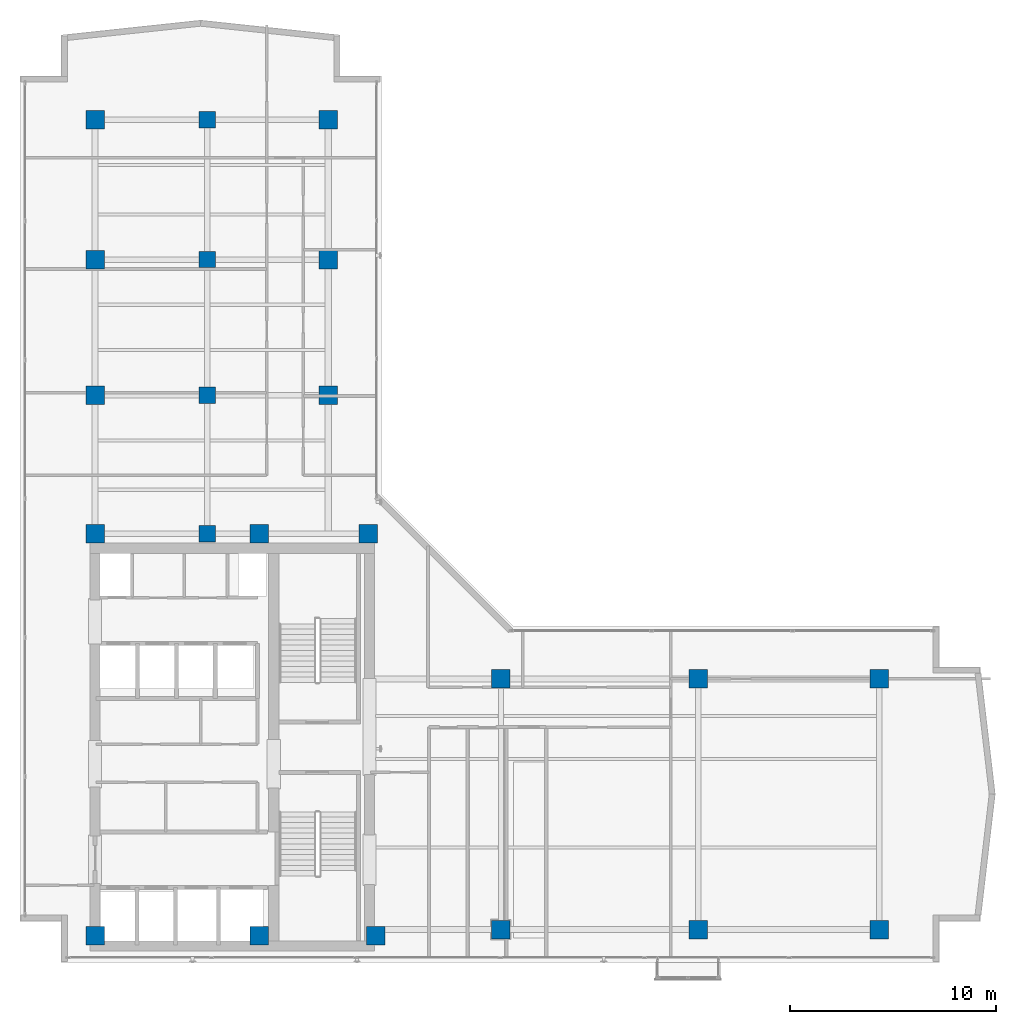
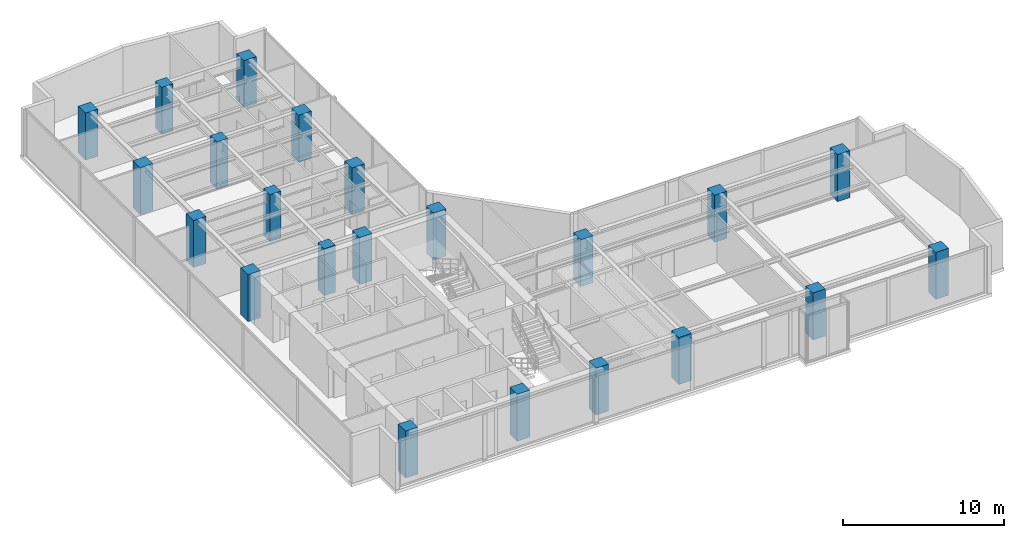
# One storey, part 1 of 23: 22 columns.
"""IFC4 building model written with IfcOpenShell, lengths in metres."""

import ifcopenshell
import ifcopenshell.guid

model = None  # the IFC model being written
_history = None  # IfcOwnerHistory: only IFC2X3 demands one
_inside = {}  # id of a spatial element -> (the spatial element, [elements in it])
_under = {}  # id of a project, library or spatial element -> (it, [spatial elements below it])
_declared = {}  # id of a project -> (the project, [libraries it declares])
_typed = {}  # id of a type object -> (the type object, [elements of that type])
_made_of = {}  # id of a material, layer set ... -> (it, [elements and type objects made of it])


def new_model(schema):
    """Start an empty IFC model of exactly this schema.

    Asked for "IFC4X3", IfcOpenShell would pick the latest addendum, in which some entities
    have other attributes; the version numbers below select the first issue.
    IFC2X3 requires an IfcOwnerHistory on every rooted entity: one is made here for all.
    """
    global model, _history
    if schema == "IFC4X3":
        model = ifcopenshell.file(schema_version=(4, 3, 0, 0))
    else:
        model = ifcopenshell.file(schema=schema)
    _inside.clear()
    _under.clear()
    _declared.clear()
    _typed.clear()
    _made_of.clear()
    _history = None
    if model.schema == "IFC2X3":
        org = make("IfcOrganization", Name="unknown")
        user = make(
            "IfcPersonAndOrganization",
            ThePerson=make("IfcPerson", FamilyName="unknown"),
            TheOrganization=org,
        )
        app = make(
            "IfcApplication",
            ApplicationDeveloper=org,
            Version="unknown",
            ApplicationFullName="unknown",
            ApplicationIdentifier="unknown",
        )
        _history = make(
            "IfcOwnerHistory",
            OwningUser=user,
            OwningApplication=app,
            ChangeAction="ADDED",
            CreationDate=0,
        )
    return model


def make(cls, **values):
    """One entity of the class cls with the attributes given. An attribute that is None is left unset."""
    return model.create_entity(
        cls, **{name: value for name, value in values.items() if value is not None}
    )


def rooted(cls, **values):
    """An entity with a GlobalId (a new one), such as an element, a storey or a relation."""
    return make(cls, GlobalId=ifcopenshell.guid.new(), OwnerHistory=_history, **values)


def si_unit(unit_type, name, prefix=None):
    """IfcSIUnit, for example si_unit("LENGTHUNIT", "METRE", prefix="MILLI")."""
    return make("IfcSIUnit", UnitType=unit_type, Prefix=prefix, Name=name)


def assignment(units):
    """IfcUnitAssignment: the units of a project."""
    return None if units is None else make("IfcUnitAssignment", Units=units)


def point(xyz):
    """IfcCartesianPoint."""
    return None if xyz is None else make("IfcCartesianPoint", Coordinates=xyz)


def direction(xyz):
    """IfcDirection."""
    return None if xyz is None else make("IfcDirection", DirectionRatios=xyz)


def frame(location, z_axis=None, x_axis=None):
    """IfcAxis2Placement3D, a coordinate frame: its origin and axes. An axis left out is left unset."""
    return make(
        "IfcAxis2Placement3D",
        Location=point(location),
        Axis=direction(z_axis),
        RefDirection=direction(x_axis),
    )


def frame_2d(location, x_axis=None):
    """IfcAxis2Placement2D, a coordinate frame in the plane: its origin and x axis."""
    return make(
        "IfcAxis2Placement2D", Location=point(location), RefDirection=direction(x_axis)
    )


def origin():
    """The frame at (0, 0, 0) with its axes left unset."""
    return frame((0.0, 0.0, 0.0))


def origin_2d():
    """The frame at (0, 0) in the plane with its x axis left unset."""
    return frame_2d((0.0, 0.0))


def place(relative_to, where):
    """IfcLocalPlacement: puts the frame where relative to a parent placement (None: the world)."""
    return make(
        "IfcLocalPlacement", PlacementRelTo=relative_to, RelativePlacement=where
    )


def context(
    kind, dimensions, precision=None, world=None, true_north=None, identifier=None
):
    """IfcGeometricRepresentationContext, for example the 3D "Model" context."""
    return make(
        "IfcGeometricRepresentationContext",
        ContextIdentifier=identifier,
        ContextType=kind,
        CoordinateSpaceDimension=dimensions,
        Precision=precision,
        WorldCoordinateSystem=world,
        TrueNorth=true_north,
    )


def subcontext(parent, identifier, kind, view, scale=None):
    """IfcGeometricRepresentationSubContext, for example "Body" below "Model"."""
    return make(
        "IfcGeometricRepresentationSubContext",
        ContextIdentifier=identifier,
        ContextType=kind,
        ParentContext=parent,
        TargetScale=scale,
        TargetView=view,
    )


def project(units=None, contexts=None):
    """IfcProject with its units and contexts."""
    return rooted(
        "IfcProject",
        Name="project",
        RepresentationContexts=contexts,
        UnitsInContext=assignment(units),
    )


def spatial(cls, under=None, at=None, **own):
    """A site, building, storey or space (cls), placed at a placement, below another one or the project."""
    s = rooted(cls, ObjectPlacement=at, **own)
    if under is not None:
        _under.setdefault(under.id(), (under, []))[1].append(s)
    return s


def profile(cls, at=None, kind="AREA", **sizes):
    """A parametric profile (cls). Its sizes go by their IFC names, for example OverallWidth=200.0."""
    return make(cls, ProfileType=kind, Position=at, **sizes)


def rectangle(**sizes):
    """IfcRectangleProfileDef."""
    return profile("IfcRectangleProfileDef", **sizes)


def extrude(swept, where, along, depth):
    """IfcExtrudedAreaSolid: the profile swept, set in the frame where, extruded along a direction by depth."""
    return make(
        "IfcExtrudedAreaSolid",
        SweptArea=swept,
        Position=where,
        ExtrudedDirection=direction(along),
        Depth=depth,
    )


def shape(context_of_items, identifier, shape_type, items):
    """IfcShapeRepresentation: the items that make up one representation, for example the "Body"."""
    return make(
        "IfcShapeRepresentation",
        ContextOfItems=context_of_items,
        RepresentationIdentifier=identifier,
        RepresentationType=shape_type,
        Items=items,
    )


def material(Name=None, Category=None):
    """IfcMaterial."""
    return make("IfcMaterial", Name=Name, Category=Category)


def material_profile(
    of_material, cross_section, Name=None, Category=None, Priority=None
):
    """IfcMaterialProfile: a cross section and its material."""
    return make(
        "IfcMaterialProfile",
        Name=Name,
        Material=of_material,
        Profile=cross_section,
        Priority=Priority,
        Category=Category,
    )


def profile_set(profiles, Name=None, composite=None):
    """IfcMaterialProfileSet."""
    return make(
        "IfcMaterialProfileSet",
        Name=Name,
        MaterialProfiles=profiles,
        CompositeProfile=composite,
    )


def made_of(thing, what):
    """Note that an element or type object is made of a material, layer set ...; save() writes the relation."""
    if what is not None:
        _made_of.setdefault(what.id(), (what, []))[1].append(thing)
    return thing


def type_object(cls, material=None, **own):
    """A type object (cls), such as IfcWallType, which elements share."""
    return made_of(rooted(cls, **own), material)


def element(
    cls,
    number,
    at=None,
    inside=None,
    cuts=None,
    type_object=None,
    material=None,
    context=None,
    identifier="Body",
    shape_type=None,
    held_by="IfcProductDefinitionShape",
    body=None,
    shapes=None,
    **own,
):
    """One element of the class cls, such as IfcWall. Its Tag is "e" and its number.

    at: its placement. inside: the storey or other place that contains it. cuts: it is an
    opening in that element (IfcRelVoidsElement). A single representation is given by context,
    identifier, shape_type and body (its items); several are given by shapes. held_by: the class
    of the entity that holds the representations. save() writes the other relations.
    """
    e = rooted(cls, Tag="e%d" % number, ObjectPlacement=at, **own)
    if body is not None:
        shapes = [shape(context, identifier, shape_type, body)]
    if shapes is not None:
        e.Representation = make(held_by, Representations=shapes)
    if inside is not None:
        _inside.setdefault(inside.id(), (inside, []))[1].append(e)
    if cuts is not None:
        rooted(
            "IfcRelVoidsElement", RelatingBuildingElement=cuts, RelatedOpeningElement=e
        )
    if type_object is not None:
        _typed.setdefault(type_object.id(), (type_object, []))[1].append(e)
    return made_of(e, material)


def aggregate(whole, parts):
    """IfcRelAggregates: a whole, such as a stair, and the parts it consists of."""
    return rooted("IfcRelAggregates", RelatingObject=whole, RelatedObjects=parts)


def save(model, path):
    """Write the relations noted so far, then the file.

    IfcRelAggregates (storeys below a building ...), IfcRelContainedInSpatialStructure (elements
    in a storey), IfcRelDefinesByType, IfcRelAssociatesMaterial and IfcRelDeclares: one each for
    every whole, place, type object, material and project.
    """
    for whole, parts in _under.values():
        aggregate(whole, parts)
    for where, things in _inside.values():
        rooted(
            "IfcRelContainedInSpatialStructure",
            RelatedElements=things,
            RelatingStructure=where,
        )
    for kind, things in _typed.values():
        rooted("IfcRelDefinesByType", RelatedObjects=things, RelatingType=kind)
    for what, things in _made_of.values():
        rooted("IfcRelAssociatesMaterial", RelatedObjects=things, RelatingMaterial=what)
    for by, libraries in _declared.values():
        rooted("IfcRelDeclares", RelatingContext=by, RelatedDefinitions=libraries)
    model.write(path)


model = new_model("IFC4")

# Units and contexts
model_context = context("Model", 3, precision=1e-05, world=origin(), true_north=direction((0.0, 1.0)))
body_context = subcontext(model_context, "Body", "Model", "MODEL_VIEW")
ifc_project = project(units=[si_unit("LENGTHUNIT", "METRE"), si_unit("AREAUNIT", "SQUARE_METRE"), si_unit("VOLUMEUNIT", "CUBIC_METRE"), si_unit("PLANEANGLEUNIT", "RADIAN"), si_unit("MASSUNIT", "GRAM", prefix="KILO")], contexts=[model_context])

# Site, building, storey
site_placement = place(None, origin())
site = spatial("IfcSite", under=ifc_project, at=site_placement, CompositionType="ELEMENT")
building_placement = place(site_placement, origin())
building = spatial("IfcBuilding", under=site, at=building_placement, Name="Kolvaren Waterfront Exchange", CompositionType="ELEMENT")
storey_placement = place(building_placement, frame((0.0, 0.0, 270.39990234375)))
storey = spatial("IfcBuildingStorey", under=building, at=storey_placement, Name="L69", CompositionType="ELEMENT", Elevation=270.39990234375)

# Columns
ifc_material = material(Name="Concrete C50/60", Category="concrete")
ifc_material_profile_1 = material_profile(ifc_material, rectangle(XDim=0.800048828125, YDim=0.800048828125, at=origin_2d()), Name="RC-COL-800x800")
ifc_profile_set_1 = profile_set([ifc_material_profile_1], Name="Concrete C50/60")
column_type_1 = type_object("IfcColumnType", Name="STR-COL-800-C50", PredefinedType="COLUMN", material=ifc_profile_set_1)
for number, where, z_axis, x_axis, name in (
    (1, (12.89990234375, 24.449951171875, 0.0), (0.0, 0.0, 1.0), (1.0, 0.0, 0.0), "L69 column TC01"),
    (2, (12.89990234375, 31.199951171875, 0.0), (0.0, 0.0, 1.0), (1.0, 0.0, 0.0), "L69 column TC02"),
    (3, (12.89990234375, 37.800048828125, 0.0), (0.0, 0.0, 1.0), (1.0, 0.0, 0.0), "L69 column TC03"),
    (4, (12.89990234375, 44.60009765625, 0.0), (0.0, 0.0, 1.0), (1.0, 0.0, 0.0), "L69 column TC04"),
):
    element("IfcColumn", number, at=place(storey_placement, frame(where, z_axis=z_axis, x_axis=x_axis)), inside=storey, type_object=column_type_1, Name=name, PredefinedType="COLUMN", context=body_context, shape_type="SweptSolid", body=[
        extrude(rectangle(XDim=0.800048828125, YDim=0.800048828125, at=origin_2d()), origin(), (0.0, 0.0, 1.0), 3.56005859375),
    ])
ifc_material_profile_2 = material_profile(ifc_material, rectangle(XDim=0.89990234375, YDim=0.89990234375, at=origin_2d()), Name="RC-COL-900x900")
ifc_profile_set_2 = profile_set([ifc_material_profile_2], Name="Concrete C50/60")
column_type_2 = type_object("IfcColumnType", Name="STR-COL-900-C50", PredefinedType="COLUMN", material=ifc_profile_set_2)
for number, where, z_axis, x_axis, name in (
    (5, (7.449951171875, 4.89990234375, 0.0), (0.0, 0.0, 1.0), (1.0, 0.0, 0.0), "L69 column MC01"),
    (6, (15.449951171875, 4.89990234375, 0.0), (0.0, 0.0, 1.0), (1.0, 0.0, 0.0), "L69 column MC02"),
    (7, (21.10009765625, 4.89990234375, 0.0), (0.0, 0.0, 1.0), (1.0, 0.0, 0.0), "L69 column MC03"),
    (8, (7.449951171875, 24.449951171875, 0.0), (0.0, 0.0, 1.0), (1.0, 0.0, 0.0), "L69 column MC04"),
    (9, (15.449951171875, 24.449951171875, 0.0), (0.0, 0.0, 1.0), (1.0, 0.0, 0.0), "L69 column MC05"),
    (10, (20.75, 24.449951171875, 0.0), (0.0, 0.0, 1.0), (1.0, 0.0, 0.0), "L69 column MC06"),
    (11, (7.449951171875, 31.199951171875, 0.0), (0.0, 0.0, 1.0), (1.0, 0.0, 0.0), "L69 column NC01"),
    (12, (7.449951171875, 37.800048828125, 0.0), (0.0, 0.0, 1.0), (1.0, 0.0, 0.0), "L69 column NC02"),
    (13, (7.449951171875, 44.60009765625, 0.0), (0.0, 0.0, 1.0), (1.0, 0.0, 0.0), "L69 column NC03"),
    (14, (18.800048828125, 31.199951171875, 0.0), (0.0, 0.0, 1.0), (1.0, 0.0, 0.0), "L69 column NC04"),
    (15, (18.800048828125, 37.800048828125, 0.0), (0.0, 0.0, 1.0), (1.0, 0.0, 0.0), "L69 column NC05"),
    (16, (18.800048828125, 44.60009765625, 0.0), (0.0, 0.0, 1.0), (1.0, 0.0, 0.0), "L69 column NC06"),
    (17, (27.199951171875, 5.199951171875, 0.0), (0.0, 0.0, 1.0), (1.0, 0.0, 0.0), "L69 column EC01"),
    (18, (36.800048828125, 5.199951171875, 0.0), (0.0, 0.0, 1.0), (1.0, 0.0, 0.0), "L69 column EC02"),
    (19, (45.60009765625, 5.199951171875, 0.0), (0.0, 0.0, 1.0), (1.0, 0.0, 0.0), "L69 column EC03"),
    (20, (27.199951171875, 17.39990234375, 0.0), (0.0, 0.0, 1.0), (1.0, 0.0, 0.0), "L69 column EC04"),
    (21, (36.800048828125, 17.39990234375, 0.0), (0.0, 0.0, 1.0), (1.0, 0.0, 0.0), "L69 column EC05"),
    (22, (45.60009765625, 17.39990234375, 0.0), (0.0, 0.0, 1.0), (1.0, 0.0, 0.0), "L69 column EC06"),
):
    element("IfcColumn", number, at=place(storey_placement, frame(where, z_axis=z_axis, x_axis=x_axis)), inside=storey, type_object=column_type_2, Name=name, PredefinedType="COLUMN", context=body_context, shape_type="SweptSolid", body=[
        extrude(rectangle(XDim=0.89990234375, YDim=0.89990234375, at=origin_2d()), origin(), (0.0, 0.0, 1.0), 3.56005859375),
    ])

save(model, "model.ifc")
